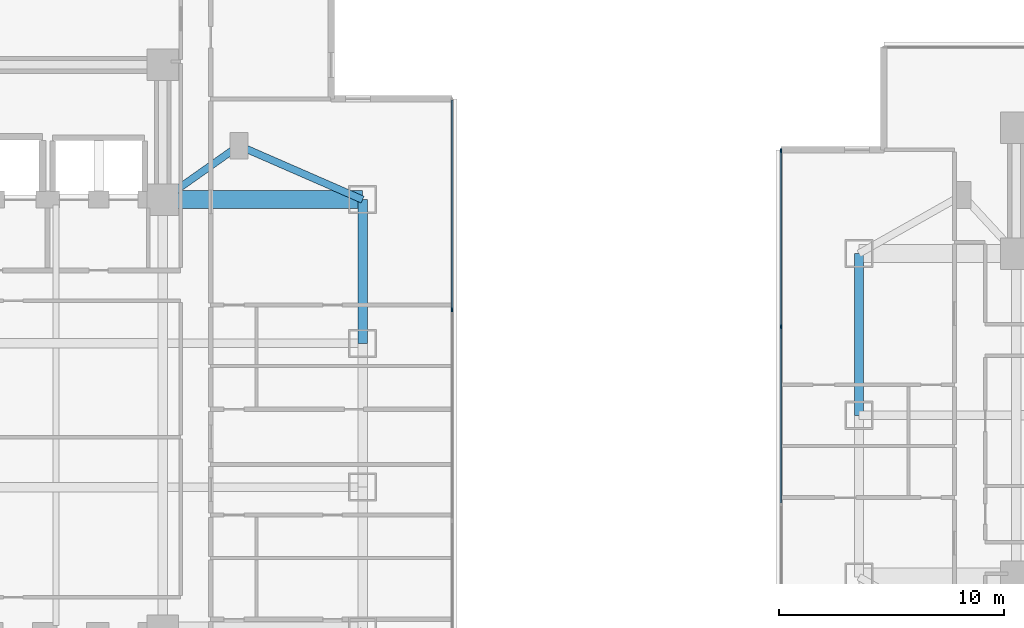
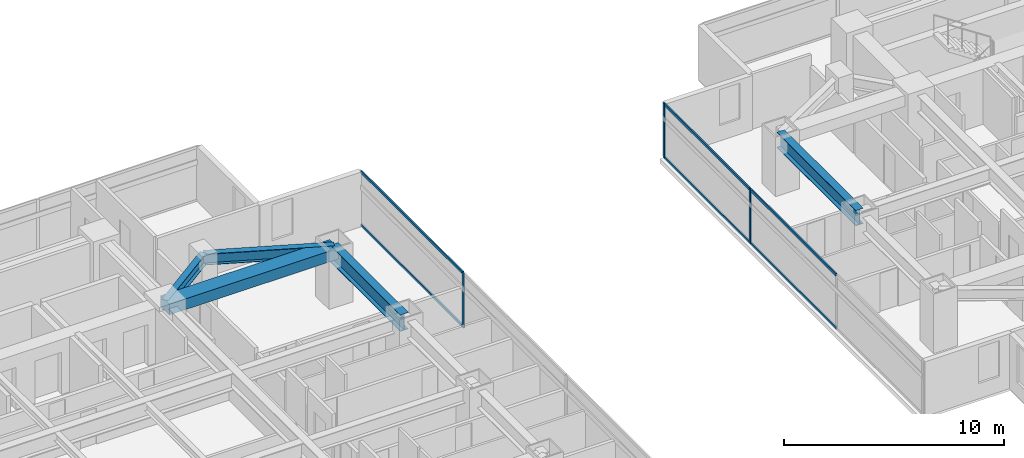
# One storey, part 6 of 26: 9 members, 5 beams, 2 elements without a shape of their own.
"""IFC4 building model written with IfcOpenShell, lengths in metres."""

from ifc_helpers import new_model, si_unit, direction, frame, origin, origin_2d, place, context, subcontext, project, spatial, rectangle, i_section, extrude, material, material_profile, profile_set, type_object, element, aggregate, save


model = new_model("IFC4")

# Units and contexts
model_context = context("Model", 3, precision=1e-05, world=origin(), true_north=direction((0.0, 1.0)))
body_context = subcontext(model_context, "Body", "Model", "MODEL_VIEW")
ifc_project = project(units=[si_unit("LENGTHUNIT", "METRE"), si_unit("AREAUNIT", "SQUARE_METRE"), si_unit("VOLUMEUNIT", "CUBIC_METRE"), si_unit("PLANEANGLEUNIT", "RADIAN"), si_unit("MASSUNIT", "GRAM", prefix="KILO")], contexts=[model_context])

# Site, building, storey
site_placement = place(None, origin())
site = spatial("IfcSite", under=ifc_project, at=site_placement, CompositionType="ELEMENT")
building_placement = place(site_placement, origin())
building = spatial("IfcBuilding", under=site, at=building_placement, Name="Mirazonda Arch Towers", CompositionType="ELEMENT")
storey_placement = place(building_placement, frame((0.0, 0.0, 38.89990234375)))
storey = spatial("IfcBuildingStorey", under=building, at=storey_placement, Name="L10", CompositionType="ELEMENT", Elevation=38.89990234375)

# Beams
ifc_material_1 = material(Name="Steel ASTM A992 Grade 50", Category="steel")
ifc_material_profile_1 = material_profile(ifc_material_1, i_section(OverallWidth=0.39990234375, OverallDepth=0.85595703125, WebThickness=0.018310546875, FlangeThickness=0.029296875, at=origin_2d()), Name="W33X201")
ifc_profile_set_1 = profile_set([ifc_material_profile_1], Name="Steel ASTM A992 Grade 50")
beam_type_1 = type_object("IfcBeamType", Name="BM-EXT-W33X201", PredefinedType="USERDEFINED", material=ifc_profile_set_1)
beam_1_placement = place(storey_placement, frame((61.0, 28.0, 2.632080078125), z_axis=(0.0, 1.0, 0.0), x_axis=(-1.0, 0.0, 0.0)))
element("IfcBeam", 1, at=beam_1_placement, inside=storey, type_object=beam_type_1, Name="L10 Floor Beam BM-T2-L10-NS-W-28", ObjectType="GIRDER", PredefinedType="USERDEFINED", context=body_context, shape_type="SweptSolid", body=[
    extrude(i_section(OverallWidth=0.39990234375, OverallDepth=0.85595703125, WebThickness=0.018310546875, FlangeThickness=0.029296875, at=origin_2d()), origin(), (0.0, 0.0, 1.0), 7.199951171875),
])
ifc_material_profile_2 = material_profile(ifc_material_1, i_section(OverallWidth=0.41796875, OverallDepth=0.927001953125, WebThickness=0.019287109375, FlangeThickness=0.031982421875, at=origin_2d()), Name="W36X231")
ifc_profile_set_2 = profile_set([ifc_material_profile_2], Name="Steel ASTM A992 Grade 50")
beam_type_2 = type_object("IfcBeamType", Name="BM-EXT-W36X231", PredefinedType="USERDEFINED", material=ifc_profile_set_2)
beam_2_placement = place(storey_placement, frame((38.89990234375, 31.199951171875, 2.5966796875), z_axis=(0.0, 1.0, 0.0), x_axis=(-1.0, 0.0, 0.0)))
element("IfcBeam", 2, at=beam_2_placement, inside=storey, type_object=beam_type_2, Name="L10 Floor Beam BM-T1-L10-NS-E-31", ObjectType="GIRDER", PredefinedType="USERDEFINED", context=body_context, shape_type="SweptSolid", body=[
    extrude(i_section(OverallWidth=0.41796875, OverallDepth=0.927001953125, WebThickness=0.019287109375, FlangeThickness=0.031982421875, at=origin_2d()), origin(), (0.0, 0.0, 1.0), 6.400146484375),
])
ifc_material_profile_3 = material_profile(ifc_material_1, i_section(OverallWidth=0.324951171875, OverallDepth=0.615966796875, WebThickness=0.013916015625, FlangeThickness=0.021484375, at=origin_2d()), Name="W24X117")
ifc_profile_set_3 = profile_set([ifc_material_profile_3], Name="Steel ASTM A992 Grade 50")
beam_type_3 = type_object("IfcBeamType", Name="BM-INT-W24X117", PredefinedType="BEAM", material=ifc_profile_set_3)
beam_3_placement = place(storey_placement, frame((33.39990234375, 40.0, 2.752197265625), z_axis=(-0.816971114901, -0.576678591087, 0.0), x_axis=(0.576678591087, -0.816971114901, 0.0)))
element("IfcBeam", 3, at=beam_3_placement, inside=storey, type_object=beam_type_3, Name="L10 Floor Beam BM-T1-L10-PL-NE1", PredefinedType="BEAM", context=body_context, shape_type="SweptSolid", body=[
    extrude(i_section(OverallWidth=0.324951171875, OverallDepth=0.615966796875, WebThickness=0.013916015625, FlangeThickness=0.021484375, at=origin_2d()), origin(), (0.0, 0.0, 1.0), 4.16162109375),
])
beam_4_placement = place(storey_placement, frame((33.39990234375, 40.0, 2.752197265625), z_axis=(0.916545343703, -0.399930785183, 0.0), x_axis=(0.399930785183, 0.916545343703, 0.0)))
element("IfcBeam", 4, at=beam_4_placement, inside=storey, type_object=beam_type_3, Name="L10 Floor Beam BM-T1-L10-PL-NE2", PredefinedType="BEAM", context=body_context, shape_type="SweptSolid", body=[
    extrude(i_section(OverallWidth=0.324951171875, OverallDepth=0.615966796875, WebThickness=0.013916015625, FlangeThickness=0.021484375, at=origin_2d()), origin(), (0.0, 0.0, 1.0), 6.000732421875),
])
ifc_material_2 = material(Name="Concrete C60/75", Category="concrete")
ifc_material_profile_4 = material_profile(ifc_material_2, rectangle(XDim=0.800048828125, YDim=0.60009765625, at=origin_2d()), Name="RCCB800x600")
ifc_profile_set_4 = profile_set([ifc_material_profile_4], Name="Concrete C60/75")
beam_type_4 = type_object("IfcBeamType", Name="CB-INT-RCCB800x600", PredefinedType="SPANDREL", material=ifc_profile_set_4)
beam_5_placement = place(storey_placement, frame((30.0, 37.60009765625, 2.760009765625), z_axis=(1.0, 0.0, 0.0), x_axis=(0.0, 1.0, 0.0)))
element("IfcBeam", 5, at=beam_5_placement, inside=storey, type_object=beam_type_4, Name="L10 Floor Beam CBC-T1-L10-NE", PredefinedType="SPANDREL", context=body_context, shape_type="SweptSolid", body=[
    extrude(rectangle(XDim=0.800048828125, YDim=0.60009765625, at=origin_2d()), origin(), (0.0, 0.0, 1.0), 8.89990234375),
])

# Curtain wall, member
ifc_material_3 = material(Name="Anodised Aluminium and Low-E Glass", Category="aluminium")
curtain_wall_type = type_object("IfcCurtainWallType", Name="CW-HTL-UNIT", PredefinedType="NOTDEFINED", material=ifc_material_3)
curtain_wall_1_placement = place(storey_placement, origin())
curtain_wall_1 = element("IfcCurtainWall", 6, at=curtain_wall_1_placement, inside=storey, type_object=curtain_wall_type, Name="L10 T1 E Facade CW-L10-T1-E", PredefinedType="NOTDEFINED")
ifc_material_4 = material(Name="Anodised Aluminium Alloy", Category="aluminium")
ifc_material_profile_5 = material_profile(ifc_material_4, rectangle(XDim=0.074951171875, YDim=0.1650390625, at=origin_2d()), Name="ALU-MULL-75x165")
ifc_profile_set_5 = profile_set([ifc_material_profile_5], Name="Anodised Aluminium Alloy")
member_type_1 = type_object("IfcMemberType", Name="MULL-CW-HTL-UNIT", PredefinedType="MULLION", material=ifc_profile_set_5)
member_1_placement = place(storey_placement, frame((42.8798828125, 32.69677734375, 0.0), z_axis=(0.0, 0.0, 1.0), x_axis=(-1.0, 0.0, 0.0)))
member_1 = element("IfcMember", 7, at=member_1_placement, type_object=member_type_1, Name="CW-112 mullion 3", PredefinedType="MULLION", context=body_context, shape_type="SweptSolid", body=[
    extrude(rectangle(XDim=0.074951171875, YDim=0.1650390625, at=origin_2d()), origin(), (0.0, 0.0, 1.0), 3.0400390625),
])

# Curtain wall, members
curtain_wall_2_placement = place(storey_placement, origin())
curtain_wall_2 = element("IfcCurtainWall", 8, at=curtain_wall_2_placement, inside=storey, type_object=curtain_wall_type, Name="L10 T2 W Facade CW-L10-T2-W", PredefinedType="NOTDEFINED")
member_2_placement = place(storey_placement, frame((57.530029296875, 39.779052734375, 0.0), z_axis=(0.0, 0.0, 1.0), x_axis=(1.0, 0.0, 0.0)))
member_2 = element("IfcMember", 9, at=member_2_placement, type_object=member_type_1, Name="CW-112 mullion 1", PredefinedType="MULLION", context=body_context, shape_type="SweptSolid", body=[
    extrude(rectangle(XDim=0.074951171875, YDim=0.1650390625, at=origin_2d()), origin(), (0.0, 0.0, 1.0), 3.0400390625),
])
member_3_placement = place(storey_placement, frame((57.530029296875, 31.938720703125, 0.0), z_axis=(0.0, 0.0, 1.0), x_axis=(1.0, 0.0, 0.0)))
member_3 = element("IfcMember", 10, at=member_3_placement, type_object=member_type_1, Name="CW-112 mullion 2", PredefinedType="MULLION", context=body_context, shape_type="SweptSolid", body=[
    extrude(rectangle(XDim=0.074951171875, YDim=0.1650390625, at=origin_2d()), origin(), (0.0, 0.0, 1.0), 3.0400390625),
])

# Member
ifc_material_profile_6 = material_profile(ifc_material_4, rectangle(XDim=0.074951171875, YDim=0.14501953125, at=origin_2d()), Name="ALU-TRAN-75x145")
ifc_profile_set_6 = profile_set([ifc_material_profile_6], Name="Anodised Aluminium Alloy")
member_type_2 = type_object("IfcMemberType", Name="TRAN-CW-HTL-UNIT", PredefinedType="USERDEFINED", material=ifc_profile_set_6)
member_4_placement = place(storey_placement, frame((42.8798828125, 32.734130859375, 0.03759765625), z_axis=(0.0, 1.0, 0.0), x_axis=(-1.0, 0.0, 0.0)))
member_4 = element("IfcMember", 11, at=member_4_placement, type_object=member_type_2, Name="CW-112 transom 3.1", ObjectType="TRANSOM", PredefinedType="USERDEFINED", context=body_context, shape_type="SweptSolid", body=[
    extrude(rectangle(XDim=0.074951171875, YDim=0.14501953125, at=origin_2d()), origin(), (0.0, 0.0, 1.0), 9.28076171875),
])

member_5_placement = place(storey_placement, frame((42.8798828125, 32.734130859375, 3.002685546875), z_axis=(0.0, 1.0, 0.0), x_axis=(-1.0, 0.0, 0.0)))
member_5 = element("IfcMember", 12, at=member_5_placement, type_object=member_type_2, Name="CW-112 transom 3.2", ObjectType="TRANSOM", PredefinedType="USERDEFINED", context=body_context, shape_type="SweptSolid", body=[
    extrude(rectangle(XDim=0.074951171875, YDim=0.14501953125, at=origin_2d()), origin(), (0.0, 0.0, 1.0), 9.28076171875),
])

aggregate(curtain_wall_1, [member_1, member_4, member_5])

member_6_placement = place(storey_placement, frame((57.530029296875, 39.741455078125, 0.03759765625), z_axis=(0.0, -1.0, 0.0), x_axis=(1.0, 0.0, 0.0)))
member_6 = element("IfcMember", 13, at=member_6_placement, type_object=member_type_2, Name="CW-112 transom 1.1", ObjectType="TRANSOM", PredefinedType="USERDEFINED", context=body_context, shape_type="SweptSolid", body=[
    extrude(rectangle(XDim=0.074951171875, YDim=0.14501953125, at=origin_2d()), origin(), (0.0, 0.0, 1.0), 7.76513671875),
])

member_7_placement = place(storey_placement, frame((57.530029296875, 39.741455078125, 3.002685546875), z_axis=(0.0, -1.0, 0.0), x_axis=(1.0, 0.0, 0.0)))
member_7 = element("IfcMember", 14, at=member_7_placement, type_object=member_type_2, Name="CW-112 transom 1.2", ObjectType="TRANSOM", PredefinedType="USERDEFINED", context=body_context, shape_type="SweptSolid", body=[
    extrude(rectangle(XDim=0.074951171875, YDim=0.14501953125, at=origin_2d()), origin(), (0.0, 0.0, 1.0), 7.76513671875),
])

member_8_placement = place(storey_placement, frame((57.530029296875, 31.9013671875, 0.03759765625), z_axis=(0.0, -1.0, 0.0), x_axis=(1.0, 0.0, 0.0)))
member_8 = element("IfcMember", 15, at=member_8_placement, type_object=member_type_2, Name="CW-112 transom 2.1", ObjectType="TRANSOM", PredefinedType="USERDEFINED", context=body_context, shape_type="SweptSolid", body=[
    extrude(rectangle(XDim=0.074951171875, YDim=0.14501953125, at=origin_2d()), origin(), (0.0, 0.0, 1.0), 7.802734375),
])

member_9_placement = place(storey_placement, frame((57.530029296875, 31.9013671875, 3.002685546875), z_axis=(0.0, -1.0, 0.0), x_axis=(1.0, 0.0, 0.0)))
member_9 = element("IfcMember", 16, at=member_9_placement, type_object=member_type_2, Name="CW-112 transom 2.2", ObjectType="TRANSOM", PredefinedType="USERDEFINED", context=body_context, shape_type="SweptSolid", body=[
    extrude(rectangle(XDim=0.074951171875, YDim=0.14501953125, at=origin_2d()), origin(), (0.0, 0.0, 1.0), 7.802734375),
])

aggregate(curtain_wall_2, [member_2, member_3, member_6, member_7, member_8, member_9])

save(model, "model.ifc")
